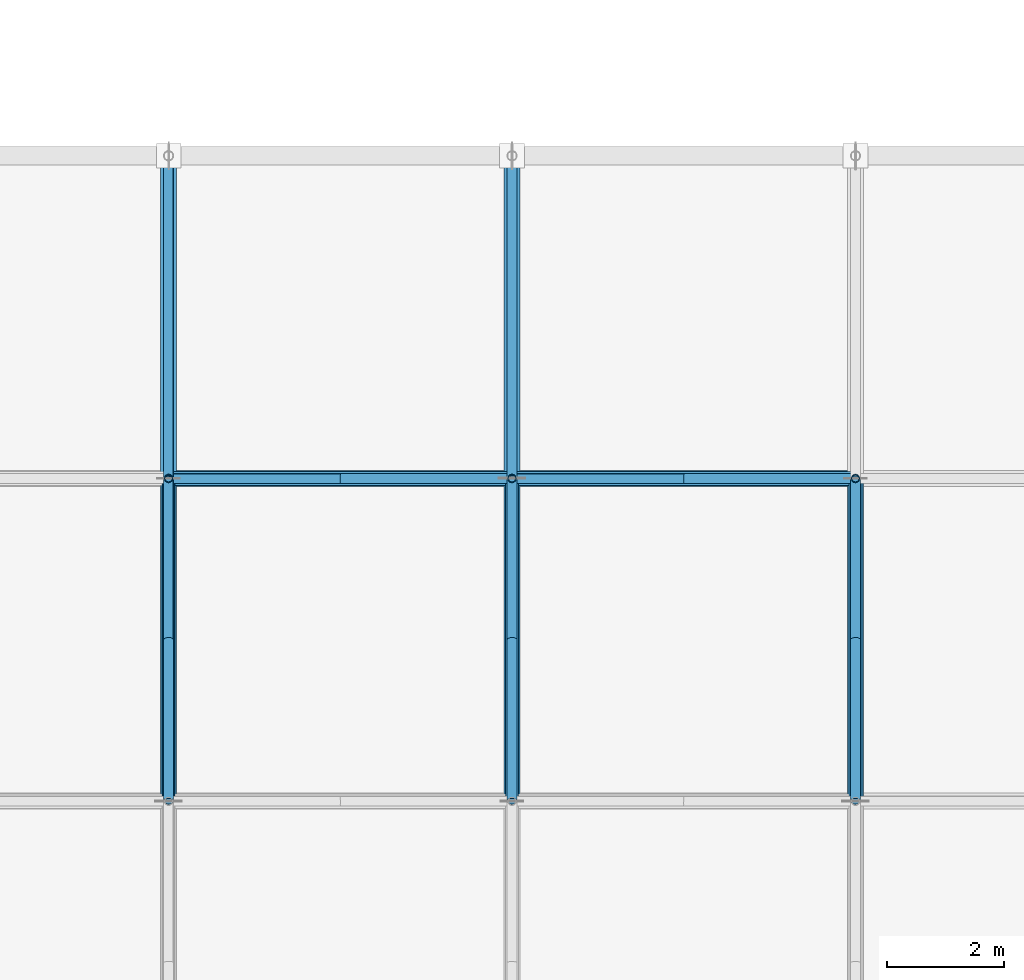
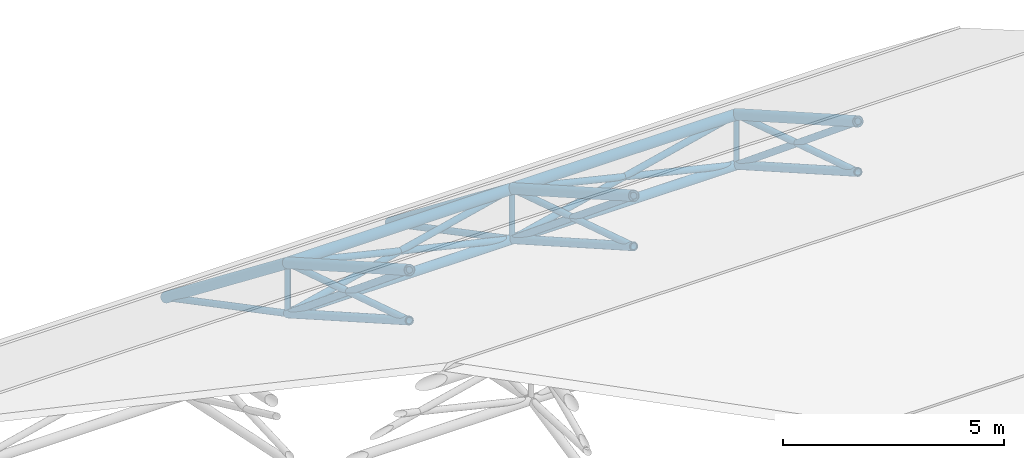
# One storey, part 13 of 82: 27 members.
"""IFC4 building model written with IfcOpenShell, lengths in metres."""

from ifc_helpers import new_model, si_unit, direction, frame, origin, origin_2d, place, context, subcontext, project, spatial, hollow_circle, extrude, material, material_profile, profile_set, type_object, element, save


model = new_model("IFC4")

# Units and contexts
model_context = context("Model", 3, precision=1e-05, world=origin(), true_north=direction((0.0, 1.0)))
body_context = subcontext(model_context, "Body", "Model", "MODEL_VIEW")
ifc_project = project(units=[si_unit("LENGTHUNIT", "METRE"), si_unit("AREAUNIT", "SQUARE_METRE"), si_unit("VOLUMEUNIT", "CUBIC_METRE"), si_unit("PLANEANGLEUNIT", "RADIAN"), si_unit("MASSUNIT", "GRAM", prefix="KILO")], contexts=[model_context])

# Site, building, storey
site_placement = place(None, origin())
site = spatial("IfcSite", under=ifc_project, at=site_placement, CompositionType="ELEMENT")
building_placement = place(site_placement, origin())
building = spatial("IfcBuilding", under=site, at=building_placement, Name="Bramfleet General Hospital", CompositionType="ELEMENT")
storey_placement = place(building_placement, frame((0.0, 0.0, 34.199951171875)))
storey = spatial("IfcBuildingStorey", under=building, at=storey_placement, Name="Roof", CompositionType="ELEMENT", Elevation=34.199951171875)

# Members
ifc_material = material(Name="Steel S355", Category="steel")
ifc_material_profile_1 = material_profile(ifc_material, hollow_circle(Radius=0.122314453125, WallThickness=0.012451171875, at=origin_2d()), Name="CHS 244.5x12.5")
ifc_profile_set_1 = profile_set([ifc_material_profile_1], Name="Steel S355")
member_type_1 = type_object("IfcMemberType", Name="MEM-SF-BC1", PredefinedType="CHORD", material=ifc_profile_set_1)
member_1_placement = place(storey_placement, frame((74.335693359375, 44.833251953125, -16.550048828125), z_axis=(1.0, 0.0, 0.0), x_axis=(0.0, 1.0, 0.0)))
element("IfcMember", 1, at=member_1_placement, inside=storey, type_object=member_type_1, Name="Space Frame Bottom Chord X 4-5", PredefinedType="CHORD", context=body_context, shape_type="SweptSolid", body=[
    extrude(hollow_circle(Radius=0.122314453125, WallThickness=0.012451171875, at=origin_2d()), origin(), (0.0, 0.0, 1.0), 5.871337890625),
])
member_2_placement = place(storey_placement, frame((80.20703125, 44.833251953125, -16.550048828125), z_axis=(1.0, 0.0, 0.0), x_axis=(0.0, 1.0, 0.0)))
element("IfcMember", 2, at=member_2_placement, inside=storey, type_object=member_type_1, Name="Space Frame Bottom Chord X 5-5", PredefinedType="CHORD", context=body_context, shape_type="SweptSolid", body=[
    extrude(hollow_circle(Radius=0.122314453125, WallThickness=0.012451171875, at=origin_2d()), origin(), (0.0, 0.0, 1.0), 5.87158203125),
])
ifc_material_profile_2 = material_profile(ifc_material, hollow_circle(Radius=0.109619140625, WallThickness=0.010009765625, at=origin_2d()), Name="CHS 219.1x10.0")
ifc_profile_set_2 = profile_set([ifc_material_profile_2], Name="Steel S355")
member_type_2 = type_object("IfcMemberType", Name="MEM-SF-BC2", PredefinedType="CHORD", material=ifc_profile_set_2)
for number, where, z_axis, x_axis, name in (
    (3, (74.335693359375, 39.316650390625, -13.402099609375), (0.0, 0.868541026423, -0.49561727716), (-1.0, 0.0, 0.0), "Space Frame Bottom Chord Y 4-4"),
    (4, (80.20703125, 39.316650390625, -13.402099609375), (0.0, 0.868541026423, -0.49561727716), (-1.0, 0.0, 0.0), "Space Frame Bottom Chord Y 5-4"),
    (5, (86.07861328125, 39.316650390625, -13.402099609375), (0.0, 0.868541026423, -0.49561727716), (-1.0, 0.0, 0.0), "Space Frame Bottom Chord Y 6-4"),
):
    element("IfcMember", number, at=place(storey_placement, frame(where, z_axis=z_axis, x_axis=x_axis)), inside=storey, type_object=member_type_2, Name=name, PredefinedType="CHORD", context=body_context, shape_type="SweptSolid", body=[
        extrude(hollow_circle(Radius=0.109619140625, WallThickness=0.010009765625, at=origin_2d()), origin(), (0.0, 0.0, 1.0), 6.3515625),
    ])
ifc_material_profile_3 = material_profile(ifc_material, hollow_circle(Radius=0.084228515625, WallThickness=0.008056640625, at=origin_2d()), Name="CHS 168.3x8.0")
ifc_profile_set_3 = profile_set([ifc_material_profile_3], Name="Steel S355")
member_type_3 = type_object("IfcMemberType", Name="MEM-SF-DG1", PredefinedType="STRUT", material=ifc_profile_set_3)
member_3_placement = place(storey_placement, frame((74.335693359375, 39.316650390625, -13.402099609375), z_axis=(0.0, 0.95329850344, -0.302029739163), x_axis=(-1.0, 0.0, 0.0)))
element("IfcMember", 6, at=member_3_placement, inside=storey, type_object=member_type_3, Name="Space Frame Web Strut 4-4-N", PredefinedType="STRUT", context=body_context, shape_type="SweptSolid", body=[
    extrude(hollow_circle(Radius=0.084228515625, WallThickness=0.008056640625, at=origin_2d()), origin(), (0.0, 0.0, 1.0), 5.786865234375),
])
member_4_placement = place(storey_placement, frame((74.335693359375, 44.833251953125, -16.550048828125), z_axis=(0.97272369554, 0.0, 0.231966834127), x_axis=(0.0, 1.0, 0.0)))
element("IfcMember", 7, at=member_4_placement, inside=storey, type_object=member_type_3, Name="Space Frame Web Strut 4-5-E", PredefinedType="STRUT", context=body_context, shape_type="SweptSolid", body=[
    extrude(hollow_circle(Radius=0.084228515625, WallThickness=0.008056640625, at=origin_2d()), origin(), (0.0, 0.0, 1.0), 6.035888671875),
])
member_5_placement = place(storey_placement, frame((74.335693359375, 44.833251953125, -16.550048828125), z_axis=(0.0, -0.77160287806, 0.636104550031), x_axis=(1.0, 0.0, 0.0)))
element("IfcMember", 8, at=member_5_placement, inside=storey, type_object=member_type_3, Name="Space Frame Web Strut 4-5-S", PredefinedType="STRUT", context=body_context, shape_type="SweptSolid", body=[
    extrude(hollow_circle(Radius=0.084228515625, WallThickness=0.008056640625, at=origin_2d()), origin(), (0.0, 0.0, 1.0), 7.1494140625),
])
member_6_placement = place(storey_placement, frame((74.335693359375, 44.833251953125, -16.550048828125), z_axis=(0.0, 0.885162817116, -0.465281406457), x_axis=(-1.0, 0.0, 0.0)))
element("IfcMember", 9, at=member_6_placement, inside=storey, type_object=member_type_3, Name="Space Frame Web Strut 4-5-N", PredefinedType="STRUT", context=body_context, shape_type="SweptSolid", body=[
    extrude(hollow_circle(Radius=0.084228515625, WallThickness=0.008056640625, at=origin_2d()), origin(), (0.0, 0.0, 1.0), 6.232666015625),
])
member_7_placement = place(storey_placement, frame((80.20703125, 39.316650390625, -13.402099609375), z_axis=(0.0, 0.95329850344, -0.302029739163), x_axis=(-1.0, 0.0, 0.0)))
element("IfcMember", 10, at=member_7_placement, inside=storey, type_object=member_type_3, Name="Space Frame Web Strut 5-4-N", PredefinedType="STRUT", context=body_context, shape_type="SweptSolid", body=[
    extrude(hollow_circle(Radius=0.084228515625, WallThickness=0.008056640625, at=origin_2d()), origin(), (0.0, 0.0, 1.0), 5.786865234375),
])
member_8_placement = place(storey_placement, frame((80.20703125, 44.833251953125, -16.550048828125), z_axis=(-0.97272369554, 0.0, 0.231966834127), x_axis=(0.0, -1.0, 0.0)))
element("IfcMember", 11, at=member_8_placement, inside=storey, type_object=member_type_3, Name="Space Frame Web Strut 5-5-W", PredefinedType="STRUT", context=body_context, shape_type="SweptSolid", body=[
    extrude(hollow_circle(Radius=0.084228515625, WallThickness=0.008056640625, at=origin_2d()), origin(), (0.0, 0.0, 1.0), 6.035888671875),
])
member_9_placement = place(storey_placement, frame((80.20703125, 44.833251953125, -16.550048828125), z_axis=(0.972725871839, 0.0, 0.2319577079), x_axis=(0.0, 1.0, 0.0)))
element("IfcMember", 12, at=member_9_placement, inside=storey, type_object=member_type_3, Name="Space Frame Web Strut 5-5-E", PredefinedType="STRUT", context=body_context, shape_type="SweptSolid", body=[
    extrude(hollow_circle(Radius=0.084228515625, WallThickness=0.008056640625, at=origin_2d()), origin(), (0.0, 0.0, 1.0), 6.0361328125),
])
member_10_placement = place(storey_placement, frame((80.20703125, 44.833251953125, -16.550048828125), z_axis=(0.0, -0.77160287806, 0.636104550031), x_axis=(1.0, 0.0, 0.0)))
element("IfcMember", 13, at=member_10_placement, inside=storey, type_object=member_type_3, Name="Space Frame Web Strut 5-5-S", PredefinedType="STRUT", context=body_context, shape_type="SweptSolid", body=[
    extrude(hollow_circle(Radius=0.084228515625, WallThickness=0.008056640625, at=origin_2d()), origin(), (0.0, 0.0, 1.0), 7.1494140625),
])
member_11_placement = place(storey_placement, frame((80.20703125, 44.833251953125, -16.550048828125), z_axis=(0.0, 0.885162817116, -0.465281406457), x_axis=(-1.0, 0.0, 0.0)))
element("IfcMember", 14, at=member_11_placement, inside=storey, type_object=member_type_3, Name="Space Frame Web Strut 5-5-N", PredefinedType="STRUT", context=body_context, shape_type="SweptSolid", body=[
    extrude(hollow_circle(Radius=0.084228515625, WallThickness=0.008056640625, at=origin_2d()), origin(), (0.0, 0.0, 1.0), 6.232666015625),
])
member_12_placement = place(storey_placement, frame((86.07861328125, 39.316650390625, -13.402099609375), z_axis=(0.0, 0.95329850344, -0.302029739163), x_axis=(-1.0, 0.0, 0.0)))
element("IfcMember", 15, at=member_12_placement, inside=storey, type_object=member_type_3, Name="Space Frame Web Strut 6-4-N", PredefinedType="STRUT", context=body_context, shape_type="SweptSolid", body=[
    extrude(hollow_circle(Radius=0.084228515625, WallThickness=0.008056640625, at=origin_2d()), origin(), (0.0, 0.0, 1.0), 5.786865234375),
])
member_13_placement = place(storey_placement, frame((86.07861328125, 44.833251953125, -16.550048828125), z_axis=(-0.972725871839, 0.0, 0.2319577079), x_axis=(0.0, -1.0, 0.0)))
element("IfcMember", 16, at=member_13_placement, inside=storey, type_object=member_type_3, Name="Space Frame Web Strut 6-5-W", PredefinedType="STRUT", context=body_context, shape_type="SweptSolid", body=[
    extrude(hollow_circle(Radius=0.084228515625, WallThickness=0.008056640625, at=origin_2d()), origin(), (0.0, 0.0, 1.0), 6.0361328125),
])
member_14_placement = place(storey_placement, frame((86.07861328125, 44.833251953125, -16.550048828125), z_axis=(0.0, -0.77160287806, 0.636104550031), x_axis=(1.0, 0.0, 0.0)))
element("IfcMember", 17, at=member_14_placement, inside=storey, type_object=member_type_3, Name="Space Frame Web Strut 6-5-S", PredefinedType="STRUT", context=body_context, shape_type="SweptSolid", body=[
    extrude(hollow_circle(Radius=0.084228515625, WallThickness=0.008056640625, at=origin_2d()), origin(), (0.0, 0.0, 1.0), 7.1494140625),
])
ifc_material_profile_4 = material_profile(ifc_material, hollow_circle(Radius=0.06982421875, WallThickness=0.008056640625, at=origin_2d()), Name="CHS 139.7x8.0")
ifc_profile_set_4 = profile_set([ifc_material_profile_4], Name="Steel S355")
member_type_4 = type_object("IfcMemberType", Name="MEM-SF-DG2", PredefinedType="STRUT", material=ifc_profile_set_4)
for number, where, z_axis, x_axis, name in (
    (18, (74.335693359375, 44.833251953125, -16.550048828125), (0.0, 0.0, 1.0), (1.0, 0.0, 0.0), "Space Frame King Strut 4-5"),
    (19, (80.20703125, 44.833251953125, -16.550048828125), (0.0, 0.0, 1.0), (1.0, 0.0, 0.0), "Space Frame King Strut 5-5"),
    (20, (86.07861328125, 44.833251953125, -16.550048828125), (0.0, 0.0, 1.0), (1.0, 0.0, 0.0), "Space Frame King Strut 6-5"),
):
    element("IfcMember", number, at=place(storey_placement, frame(where, z_axis=z_axis, x_axis=x_axis)), inside=storey, type_object=member_type_4, Name=name, PredefinedType="STRUT", context=body_context, shape_type="SweptSolid", body=[
        extrude(hollow_circle(Radius=0.06982421875, WallThickness=0.008056640625, at=origin_2d()), origin(), (0.0, 0.0, 1.0), 1.400146484375),
    ])
ifc_material_profile_5 = material_profile(ifc_material, hollow_circle(Radius=0.136474609375, WallThickness=0.012451171875, at=origin_2d()), Name="CHS 273.0x12.5")
ifc_profile_set_5 = profile_set([ifc_material_profile_5], Name="Steel S355")
member_type_5 = type_object("IfcMemberType", Name="MEM-SF-TC2", PredefinedType="CHORD", material=ifc_profile_set_5)
member_15_placement = place(storey_placement, frame((74.335693359375, 44.833251953125, -15.14990234375), z_axis=(1.0, 0.0, 0.0), x_axis=(0.0, 1.0, 0.0)))
element("IfcMember", 21, at=member_15_placement, inside=storey, type_object=member_type_5, Name="Space Frame Top Chord X 4-5", PredefinedType="CHORD", context=body_context, shape_type="SweptSolid", body=[
    extrude(hollow_circle(Radius=0.136474609375, WallThickness=0.012451171875, at=origin_2d()), origin(), (0.0, 0.0, 1.0), 5.871337890625),
])
member_16_placement = place(storey_placement, frame((80.20703125, 44.833251953125, -15.14990234375), z_axis=(1.0, 0.0, 0.0), x_axis=(0.0, 1.0, 0.0)))
element("IfcMember", 22, at=member_16_placement, inside=storey, type_object=member_type_5, Name="Space Frame Top Chord X 5-5", PredefinedType="CHORD", context=body_context, shape_type="SweptSolid", body=[
    extrude(hollow_circle(Radius=0.136474609375, WallThickness=0.012451171875, at=origin_2d()), origin(), (0.0, 0.0, 1.0), 5.87158203125),
])
member_17_placement = place(storey_placement, frame((74.335693359375, 39.316650390625, -12.002197265625), z_axis=(0.0, 0.868557572351, -0.495588280241), x_axis=(-1.0, 0.0, 0.0)))
element("IfcMember", 23, at=member_17_placement, inside=storey, type_object=member_type_5, Name="Space Frame Top Chord Y 4-4", PredefinedType="CHORD", context=body_context, shape_type="SweptSolid", body=[
    extrude(hollow_circle(Radius=0.136474609375, WallThickness=0.012451171875, at=origin_2d()), origin(), (0.0, 0.0, 1.0), 6.3515625),
])
member_18_placement = place(storey_placement, frame((74.335693359375, 44.833251953125, -15.14990234375), z_axis=(0.0, 0.788716549393, -0.614757029007), x_axis=(-1.0, 0.0, 0.0)))
element("IfcMember", 24, at=member_18_placement, inside=storey, type_object=member_type_5, Name="Space Frame Top Chord Y 4-5", PredefinedType="CHORD", context=body_context, shape_type="SweptSolid", body=[
    extrude(hollow_circle(Radius=0.136474609375, WallThickness=0.012451171875, at=origin_2d()), origin(), (0.0, 0.0, 1.0), 6.99462890625),
])
member_19_placement = place(storey_placement, frame((80.20703125, 39.316650390625, -12.002197265625), z_axis=(0.0, 0.868557572351, -0.495588280241), x_axis=(-1.0, 0.0, 0.0)))
element("IfcMember", 25, at=member_19_placement, inside=storey, type_object=member_type_5, Name="Space Frame Top Chord Y 5-4", PredefinedType="CHORD", context=body_context, shape_type="SweptSolid", body=[
    extrude(hollow_circle(Radius=0.136474609375, WallThickness=0.012451171875, at=origin_2d()), origin(), (0.0, 0.0, 1.0), 6.3515625),
])
member_20_placement = place(storey_placement, frame((80.20703125, 44.833251953125, -15.14990234375), z_axis=(0.0, 0.788716549393, -0.614757029007), x_axis=(-1.0, 0.0, 0.0)))
element("IfcMember", 26, at=member_20_placement, inside=storey, type_object=member_type_5, Name="Space Frame Top Chord Y 5-5", PredefinedType="CHORD", context=body_context, shape_type="SweptSolid", body=[
    extrude(hollow_circle(Radius=0.136474609375, WallThickness=0.012451171875, at=origin_2d()), origin(), (0.0, 0.0, 1.0), 6.99462890625),
])
member_21_placement = place(storey_placement, frame((86.07861328125, 39.316650390625, -12.002197265625), z_axis=(0.0, 0.868557572351, -0.495588280241), x_axis=(-1.0, 0.0, 0.0)))
element("IfcMember", 27, at=member_21_placement, inside=storey, type_object=member_type_5, Name="Space Frame Top Chord Y 6-4", PredefinedType="CHORD", context=body_context, shape_type="SweptSolid", body=[
    extrude(hollow_circle(Radius=0.136474609375, WallThickness=0.012451171875, at=origin_2d()), origin(), (0.0, 0.0, 1.0), 6.3515625),
])

save(model, "model.ifc")
